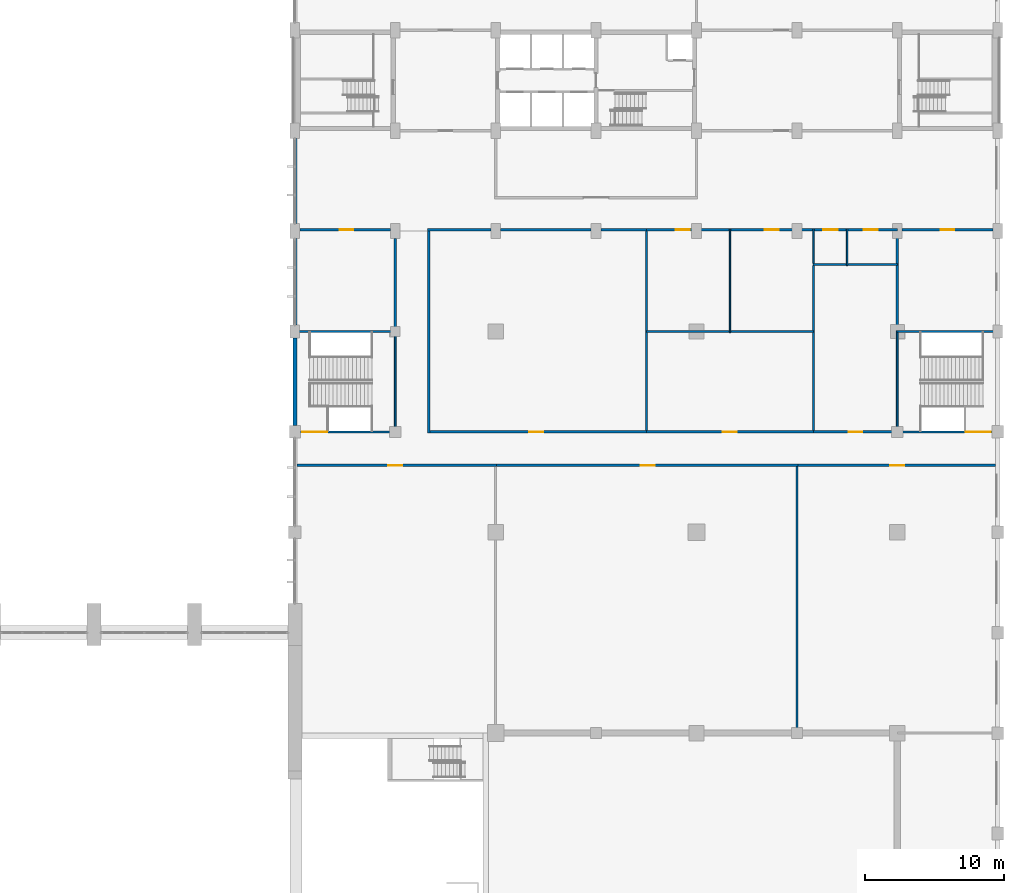
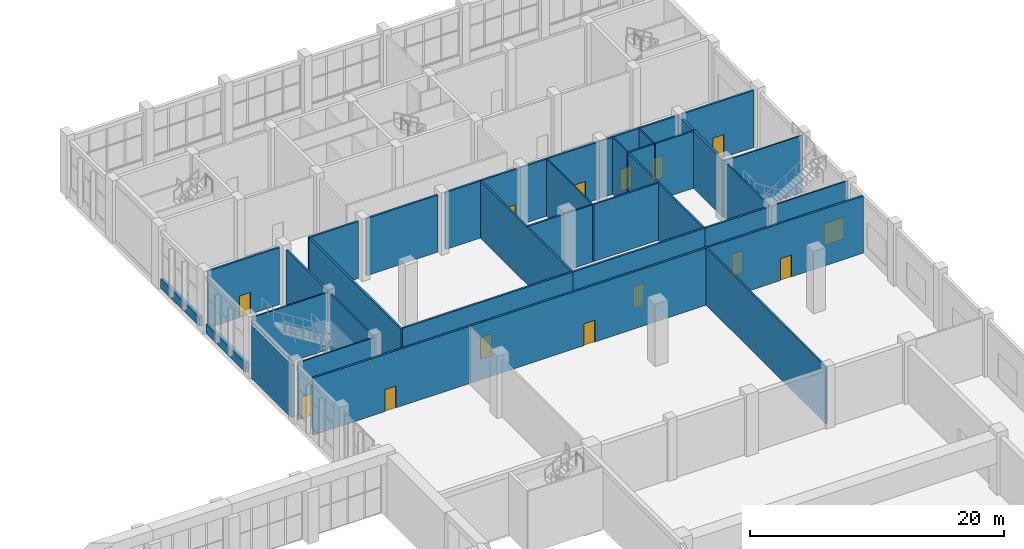
# One storey, part 35 of 44: 37 walls, 14 doors, 14 openings.
"""IFC4 building model written with IfcOpenShell, lengths in metres."""

from ifc_helpers import new_model, si_unit, direction, frame, frame_2d, origin, place, context, subcontext, project, spatial, rectangle, extrude, material, layer, layer_set, type_object, element, fill, save


model = new_model("IFC4")

# Units and contexts
model_context = context("Model", 3, precision=1e-05, world=origin(), true_north=direction((0.0, 1.0)))
body_context = subcontext(model_context, "Body", "Model", "MODEL_VIEW")
ifc_project = project(units=[si_unit("LENGTHUNIT", "METRE"), si_unit("AREAUNIT", "SQUARE_METRE"), si_unit("VOLUMEUNIT", "CUBIC_METRE"), si_unit("PLANEANGLEUNIT", "RADIAN"), si_unit("MASSUNIT", "GRAM", prefix="KILO")], contexts=[model_context])

# Site, building, storey
site_placement = place(None, origin())
site = spatial("IfcSite", under=ifc_project, at=site_placement, CompositionType="ELEMENT")
building_placement = place(site_placement, origin())
building = spatial("IfcBuilding", under=site, at=building_placement, Name="Vermilion Court Aquatics Centre", CompositionType="ELEMENT")
storey_placement = place(building_placement, frame((0.0, 0.0, 6.0)))
storey = spatial("IfcBuildingStorey", under=building, at=storey_placement, Name="L01", CompositionType="ELEMENT", Elevation=6.0)

# Wall, opening, door
ifc_material_1 = material(Name="Concrete masonry ASTM C90 Type I", Category="masonry")
ifc_layer_1 = layer(ifc_material_1, 0.175048828125)
ifc_layer_set_1 = layer_set([ifc_layer_1], Name="Podium corridor wall 175, 1 hr")
wall_type_1 = type_object("IfcWallType", Name="Podium corridor wall 175, 1 hr", PredefinedType="PARTITIONING", material=ifc_layer_set_1)
wall_1_placement = place(storey_placement, frame((144.14990234375, 76.800048828125, 0.0), z_axis=(0.0, 0.0, 1.0), x_axis=(1.0, 0.0, 0.0)))
wall_1 = element("IfcWall", 1, at=wall_1_placement, inside=storey, type_object=wall_type_1, Name="Corridor wall", PredefinedType="PARTITIONING", context=body_context, shape_type="SweptSolid", body=[
    extrude(rectangle(XDim=14.3251953125, YDim=0.175048828125, at=frame_2d((7.16259765625, 0.0))), origin(), (0.0, 0.0, 1.0), 5.5),
])
opening_1_placement = place(wall_1_placement, frame((6.550048828125, 0.0, 0.0)))
opening_1 = element("IfcOpeningElement", 2, at=opening_1_placement, cuts=wall_1, Name="Opening P01-013", PredefinedType="OPENING", context=body_context, shape_type="SweptSolid", body=[
    extrude(rectangle(XDim=1.0, YDim=2.10009765625, at=frame_2d((0.5, 1.050048828125))), frame((0.0, 0.097412109375, 0.0), z_axis=(0.0, -1.0, 0.0), x_axis=(1.0, 0.0, 0.0)), (0.0, 0.0, 1.0), 0.195068359375),
])
ifc_material_2 = material(Name="Hollow metal")
door_type_1 = type_object("IfcDoorType", Name="Podium fire door leaf 1000x2100, 60 min", OperationType="NOTDEFINED", PredefinedType="DOOR", material=ifc_material_2)
door_1_placement = place(opening_1_placement, origin())
door_1 = element("IfcDoor", 3, at=door_1_placement, inside=storey, type_object=door_type_1, Name="Door", OperationType="SINGLE_SWING_LEFT", OverallHeight=2.10009765625, OverallWidth=1.0, PredefinedType="DOOR", context=body_context, shape_type="SweptSolid", body=[
    extrude(rectangle(XDim=1.0, YDim=2.10009765625, at=frame_2d((0.5, 1.050048828125))), frame((0.0, 0.02490234375, 0.0), z_axis=(0.0, -1.0, 0.0), x_axis=(1.0, 0.0, 0.0)), (0.0, 0.0, 1.0), 0.050048828125),
])
fill(opening_1, door_1)

wall_2_placement = place(storey_placement, frame((158.47509765625, 76.800048828125, 0.0), z_axis=(0.0, 0.0, 1.0), x_axis=(1.0, 0.0, 0.0)))
wall_2 = element("IfcWall", 4, at=wall_2_placement, inside=storey, type_object=wall_type_1, Name="Corridor wall", PredefinedType="PARTITIONING", context=body_context, shape_type="SweptSolid", body=[
    extrude(rectangle(XDim=21.599853515625, YDim=0.175048828125, at=frame_2d((10.7998046875, 0.0))), origin(), (0.0, 0.0, 1.0), 5.5),
])
opening_2_placement = place(wall_2_placement, frame((10.325927734375, 0.0, 0.0)))
opening_2 = element("IfcOpeningElement", 5, at=opening_2_placement, cuts=wall_2, Name="Opening P01-014", PredefinedType="OPENING", context=body_context, shape_type="SweptSolid", body=[
    extrude(rectangle(XDim=1.0, YDim=2.10009765625, at=frame_2d((0.5, 1.050048828125))), frame((0.0, 0.097412109375, 0.0), z_axis=(0.0, -1.0, 0.0), x_axis=(1.0, 0.0, 0.0)), (0.0, 0.0, 1.0), 0.195068359375),
])
door_2_placement = place(opening_2_placement, frame((1.0, 0.0, 0.0), z_axis=(0.0, 0.0, 1.0), x_axis=(-1.0, 0.0, 0.0)))
door_2 = element("IfcDoor", 6, at=door_2_placement, inside=storey, type_object=door_type_1, Name="Door", OperationType="SINGLE_SWING_LEFT", OverallHeight=2.10009765625, OverallWidth=1.0, PredefinedType="DOOR", context=body_context, shape_type="SweptSolid", body=[
    extrude(rectangle(XDim=1.0, YDim=2.10009765625, at=frame_2d((0.5, 1.050048828125))), frame((0.0, 0.025146484375, 0.0), z_axis=(0.0, -1.0, 0.0), x_axis=(1.0, 0.0, 0.0)), (0.0, 0.0, 1.0), 0.050048828125),
])
fill(opening_2, door_2)

wall_3_placement = place(storey_placement, frame((180.074951171875, 76.800048828125, 0.0), z_axis=(0.0, 0.0, 1.0), x_axis=(1.0, 0.0, 0.0)))
wall_3 = element("IfcWall", 7, at=wall_3_placement, inside=storey, type_object=wall_type_1, Name="Corridor wall", PredefinedType="PARTITIONING", context=body_context, shape_type="SweptSolid", body=[
    extrude(rectangle(XDim=14.175048828125, YDim=0.175048828125, at=frame_2d((7.08740234375, 0.0))), origin(), (0.0, 0.0, 1.0), 5.5),
])
opening_3_placement = place(wall_3_placement, frame((6.625, 0.0, 0.0)))
opening_3 = element("IfcOpeningElement", 8, at=opening_3_placement, cuts=wall_3, Name="Opening P01-015", PredefinedType="OPENING", context=body_context, shape_type="SweptSolid", body=[
    extrude(rectangle(XDim=1.0, YDim=2.10009765625, at=frame_2d((0.5, 1.050048828125))), frame((0.0, 0.097412109375, 0.0), z_axis=(0.0, -1.0, 0.0), x_axis=(1.0, 0.0, 0.0)), (0.0, 0.0, 1.0), 0.195068359375),
])
door_3_placement = place(opening_3_placement, origin())
door_3 = element("IfcDoor", 9, at=door_3_placement, inside=storey, type_object=door_type_1, Name="Door", OperationType="SINGLE_SWING_LEFT", OverallHeight=2.10009765625, OverallWidth=1.0, PredefinedType="DOOR", context=body_context, shape_type="SweptSolid", body=[
    extrude(rectangle(XDim=1.0, YDim=2.10009765625, at=frame_2d((0.5, 1.050048828125))), frame((0.0, 0.02490234375, 0.0), z_axis=(0.0, -1.0, 0.0), x_axis=(1.0, 0.0, 0.0)), (0.0, 0.0, 1.0), 0.050048828125),
])
fill(opening_3, door_3)

wall_4_placement = place(storey_placement, frame((153.6875, 79.199951171875, 0.0), z_axis=(0.0, 0.0, 1.0), x_axis=(1.0, 0.0, 0.0)))
wall_4 = element("IfcWall", 10, at=wall_4_placement, inside=storey, type_object=wall_type_1, Name="Corridor wall", PredefinedType="PARTITIONING", context=body_context, shape_type="SweptSolid", body=[
    extrude(rectangle(XDim=15.512451171875, YDim=0.175048828125, at=frame_2d((7.75634765625, 0.0))), origin(), (0.0, 0.0, 1.0), 5.5),
])
opening_4_placement = place(wall_4_placement, frame((7.111083984375, 0.0, 0.0)))
opening_4 = element("IfcOpeningElement", 11, at=opening_4_placement, cuts=wall_4, Name="Opening P01-016", PredefinedType="OPENING", context=body_context, shape_type="SweptSolid", body=[
    extrude(rectangle(XDim=1.0, YDim=2.10009765625, at=frame_2d((0.5, 1.050048828125))), frame((0.0, 0.097412109375, 0.0), z_axis=(0.0, -1.0, 0.0), x_axis=(1.0, 0.0, 0.0)), (0.0, 0.0, 1.0), 0.195068359375),
])
door_4_placement = place(opening_4_placement, frame((1.0, 0.0, 0.0), z_axis=(0.0, 0.0, 1.0), x_axis=(-1.0, 0.0, 0.0)))
door_4 = element("IfcDoor", 12, at=door_4_placement, inside=storey, type_object=door_type_1, Name="Door", OperationType="SINGLE_SWING_RIGHT", OverallHeight=2.10009765625, OverallWidth=1.0, PredefinedType="DOOR", context=body_context, shape_type="SweptSolid", body=[
    extrude(rectangle(XDim=1.0, YDim=2.10009765625, at=frame_2d((0.5, 1.050048828125))), frame((0.0, 0.025146484375, 0.0), z_axis=(0.0, -1.0, 0.0), x_axis=(1.0, 0.0, 0.0)), (0.0, 0.0, 1.0), 0.050048828125),
])
fill(opening_4, door_4)

wall_5_placement = place(storey_placement, frame((169.199951171875, 79.199951171875, 0.0), z_axis=(0.0, 0.0, 1.0), x_axis=(1.0, 0.0, 0.0)))
wall_5 = element("IfcWall", 13, at=wall_5_placement, inside=storey, type_object=wall_type_1, Name="Corridor wall", PredefinedType="PARTITIONING", context=body_context, shape_type="SweptSolid", body=[
    extrude(rectangle(XDim=12.0, YDim=0.175048828125, at=frame_2d((6.0, 0.0))), origin(), (0.0, 0.0, 1.0), 5.5),
])
opening_5_placement = place(wall_5_placement, frame((5.5, 0.0, 0.0)))
opening_5 = element("IfcOpeningElement", 14, at=opening_5_placement, cuts=wall_5, Name="Opening P01-017", PredefinedType="OPENING", context=body_context, shape_type="SweptSolid", body=[
    extrude(rectangle(XDim=1.0, YDim=2.10009765625, at=frame_2d((0.5, 1.050048828125))), frame((0.0, 0.097412109375, 0.0), z_axis=(0.0, -1.0, 0.0), x_axis=(1.0, 0.0, 0.0)), (0.0, 0.0, 1.0), 0.195068359375),
])
door_5_placement = place(opening_5_placement, origin())
door_5 = element("IfcDoor", 15, at=door_5_placement, inside=storey, type_object=door_type_1, Name="Door", OperationType="SINGLE_SWING_RIGHT", OverallHeight=2.10009765625, OverallWidth=1.0, PredefinedType="DOOR", context=body_context, shape_type="SweptSolid", body=[
    extrude(rectangle(XDim=1.0, YDim=2.10009765625, at=frame_2d((0.5, 1.050048828125))), frame((0.0, 0.02490234375, 0.0), z_axis=(0.0, -1.0, 0.0), x_axis=(1.0, 0.0, 0.0)), (0.0, 0.0, 1.0), 0.050048828125),
])
fill(opening_5, door_5)

wall_6_placement = place(storey_placement, frame((181.199951171875, 79.199951171875, 0.0), z_axis=(0.0, 0.0, 1.0), x_axis=(1.0, 0.0, 0.0)))
wall_6 = element("IfcWall", 16, at=wall_6_placement, inside=storey, type_object=wall_type_1, Name="Corridor wall", PredefinedType="PARTITIONING", context=body_context, shape_type="SweptSolid", body=[
    extrude(rectangle(XDim=6.0625, YDim=0.175048828125, at=frame_2d((3.03125, 0.0))), origin(), (0.0, 0.0, 1.0), 5.5),
])
opening_6_placement = place(wall_6_placement, frame((2.52490234375, 0.0, 0.0)))
opening_6 = element("IfcOpeningElement", 17, at=opening_6_placement, cuts=wall_6, Name="Opening P01-018", PredefinedType="OPENING", context=body_context, shape_type="SweptSolid", body=[
    extrude(rectangle(XDim=0.949951171875, YDim=2.10009765625, at=frame_2d((0.47509765625, 1.050048828125))), frame((0.0, 0.097412109375, 0.0), z_axis=(0.0, -1.0, 0.0), x_axis=(1.0, 0.0, 0.0)), (0.0, 0.0, 1.0), 0.195068359375),
])
ifc_material_3 = material(Name="Hollow metal")
door_type_2 = type_object("IfcDoorType", Name="Podium fire door treatment room 950x2100, 60 min", OperationType="NOTDEFINED", PredefinedType="DOOR", material=ifc_material_3)
door_6_placement = place(opening_6_placement, origin())
door_6 = element("IfcDoor", 18, at=door_6_placement, inside=storey, type_object=door_type_2, Name="Door", OperationType="SINGLE_SWING_RIGHT", OverallHeight=2.10009765625, OverallWidth=0.949951171875, PredefinedType="DOOR", context=body_context, shape_type="SweptSolid", body=[
    extrude(rectangle(XDim=0.949951171875, YDim=2.10009765625, at=frame_2d((0.47509765625, 1.050048828125))), frame((0.0, 0.02490234375, 0.0), z_axis=(0.0, -1.0, 0.0), x_axis=(1.0, 0.0, 0.0)), (0.0, 0.0, 1.0), 0.050048828125),
])
fill(opening_6, door_6)

# Walls
wall_7_placement = place(storey_placement, frame((153.60009765625, 79.112548828125, 0.0), z_axis=(0.0, 0.0, 1.0), x_axis=(0.0, 1.0, 0.0)))
element("IfcWall", 19, at=wall_7_placement, inside=storey, type_object=wall_type_1, Name="Corridor wall", PredefinedType="PARTITIONING", context=body_context, shape_type="SweptSolid", body=[
    extrude(rectangle(XDim=14.487548828125, YDim=0.175048828125, at=frame_2d((7.24365234375, 0.0))), origin(), (0.0, 0.0, 1.0), 5.5),
])
wall_8_placement = place(storey_placement, frame((151.199951171875, 86.46240234375, 0.0), z_axis=(0.0, 0.0, 1.0), x_axis=(0.0, 1.0, 0.0)))
element("IfcWall", 20, at=wall_8_placement, inside=storey, type_object=wall_type_1, Name="Corridor wall", PredefinedType="PARTITIONING", context=body_context, shape_type="SweptSolid", body=[
    extrude(rectangle(XDim=6.587646484375, YDim=0.175048828125, at=frame_2d((3.2939453125, 0.0))), origin(), (0.0, 0.0, 1.0), 5.5),
])

# Wall, opening, door
wall_9_placement = place(storey_placement, frame((144.35009765625, 93.6875, 0.0), z_axis=(0.0, 0.0, 1.0), x_axis=(1.0, 0.0, 0.0)))
wall_9 = element("IfcWall", 21, at=wall_9_placement, inside=storey, type_object=wall_type_1, Name="Corridor wall", PredefinedType="PARTITIONING", context=body_context, shape_type="SweptSolid", body=[
    extrude(rectangle(XDim=6.5, YDim=0.175048828125, at=frame_2d((3.25, 0.0))), origin(), (0.0, 0.0, 1.0), 5.5),
])
opening_7_placement = place(wall_9_placement, frame((2.852783203125, 0.0, 0.0)))
opening_7 = element("IfcOpeningElement", 22, at=opening_7_placement, cuts=wall_9, Name="Opening P01-022", PredefinedType="OPENING", context=body_context, shape_type="SweptSolid", body=[
    extrude(rectangle(XDim=1.0, YDim=2.10009765625, at=frame_2d((0.5, 1.050048828125))), frame((0.0, 0.097412109375, 0.0), z_axis=(0.0, -1.0, 0.0), x_axis=(1.0, 0.0, 0.0)), (0.0, 0.0, 1.0), 0.195068359375),
])
door_7_placement = place(opening_7_placement, frame((1.0, 0.0, 0.0), z_axis=(0.0, 0.0, 1.0), x_axis=(-1.0, 0.0, 0.0)))
door_7 = element("IfcDoor", 23, at=door_7_placement, inside=storey, type_object=door_type_1, Name="Door", OperationType="SINGLE_SWING_RIGHT", OverallHeight=2.10009765625, OverallWidth=1.0, PredefinedType="DOOR", context=body_context, shape_type="SweptSolid", body=[
    extrude(rectangle(XDim=1.0, YDim=2.10009765625, at=frame_2d((0.5, 1.050048828125))), frame((0.0, 0.025146484375, 0.0), z_axis=(0.0, -1.0, 0.0), x_axis=(1.0, 0.0, 0.0)), (0.0, 0.0, 1.0), 0.050048828125),
])
fill(opening_7, door_7)

# Walls
wall_10_placement = place(storey_placement, frame((153.512451171875, 93.6875, 0.0), z_axis=(0.0, 0.0, 1.0), x_axis=(1.0, 0.0, 0.0)))
element("IfcWall", 24, at=wall_10_placement, inside=storey, type_object=wall_type_1, Name="Corridor wall", PredefinedType="PARTITIONING", context=body_context, shape_type="SweptSolid", body=[
    extrude(rectangle(XDim=4.53759765625, YDim=0.175048828125, at=frame_2d((2.268798828125, 0.0))), origin(), (0.0, 0.0, 1.0), 5.5),
])
wall_11_placement = place(storey_placement, frame((158.75, 93.6875, 0.0), z_axis=(0.0, 0.0, 1.0), x_axis=(1.0, 0.0, 0.0)))
element("IfcWall", 25, at=wall_11_placement, inside=storey, type_object=wall_type_1, Name="Corridor wall", PredefinedType="PARTITIONING", context=body_context, shape_type="SweptSolid", body=[
    extrude(rectangle(XDim=6.5, YDim=0.175048828125, at=frame_2d((3.25, 0.0))), origin(), (0.0, 0.0, 1.0), 5.5),
])
wall_12_placement = place(storey_placement, frame((165.949951171875, 93.6875, 0.0), z_axis=(0.0, 0.0, 1.0), x_axis=(1.0, 0.0, 0.0)))
element("IfcWall", 26, at=wall_12_placement, inside=storey, type_object=wall_type_1, Name="Corridor wall", PredefinedType="PARTITIONING", context=body_context, shape_type="SweptSolid", body=[
    extrude(rectangle(XDim=3.25, YDim=0.175048828125, at=frame_2d((1.625, 0.0))), origin(), (0.0, 0.0, 1.0), 5.5),
])

# Wall, opening, door
wall_13_placement = place(storey_placement, frame((169.199951171875, 93.6875, 0.0), z_axis=(0.0, 0.0, 1.0), x_axis=(1.0, 0.0, 0.0)))
wall_13 = element("IfcWall", 27, at=wall_13_placement, inside=storey, type_object=wall_type_1, Name="Corridor wall", PredefinedType="PARTITIONING", context=body_context, shape_type="SweptSolid", body=[
    extrude(rectangle(XDim=5.949951171875, YDim=0.175048828125, at=frame_2d((2.97509765625, 0.0))), origin(), (0.0, 0.0, 1.0), 5.5),
])
opening_8_placement = place(wall_13_placement, frame((2.10009765625, 0.0, 0.0)))
opening_8 = element("IfcOpeningElement", 28, at=opening_8_placement, cuts=wall_13, Name="Opening P01-024", PredefinedType="OPENING", context=body_context, shape_type="SweptSolid", body=[
    extrude(rectangle(XDim=1.0, YDim=2.10009765625, at=frame_2d((0.5, 1.050048828125))), frame((0.0, 0.097412109375, 0.0), z_axis=(0.0, -1.0, 0.0), x_axis=(1.0, 0.0, 0.0)), (0.0, 0.0, 1.0), 0.195068359375),
])
door_8_placement = place(opening_8_placement, frame((1.0, 0.0, 0.0), z_axis=(0.0, 0.0, 1.0), x_axis=(-1.0, 0.0, 0.0)))
door_8 = element("IfcDoor", 29, at=door_8_placement, inside=storey, type_object=door_type_1, Name="Door", OperationType="SINGLE_SWING_LEFT", OverallHeight=2.10009765625, OverallWidth=1.0, PredefinedType="DOOR", context=body_context, shape_type="SweptSolid", body=[
    extrude(rectangle(XDim=1.0, YDim=2.10009765625, at=frame_2d((0.5, 1.050048828125))), frame((0.0, 0.025146484375, 0.0), z_axis=(0.0, -1.0, 0.0), x_axis=(1.0, 0.0, 0.0)), (0.0, 0.0, 1.0), 0.050048828125),
])
fill(opening_8, door_8)

wall_14_placement = place(storey_placement, frame((175.25, 93.6875, 0.0), z_axis=(0.0, 0.0, 1.0), x_axis=(1.0, 0.0, 0.0)))
wall_14 = element("IfcWall", 30, at=wall_14_placement, inside=storey, type_object=wall_type_1, Name="Corridor wall", PredefinedType="PARTITIONING", context=body_context, shape_type="SweptSolid", body=[
    extrude(rectangle(XDim=5.89990234375, YDim=0.175048828125, at=frame_2d((2.949951171875, 0.0))), origin(), (0.0, 0.0, 1.0), 5.5),
])
opening_9_placement = place(wall_14_placement, frame((2.449951171875, 0.0, 0.0)))
opening_9 = element("IfcOpeningElement", 31, at=opening_9_placement, cuts=wall_14, Name="Opening P01-025", PredefinedType="OPENING", context=body_context, shape_type="SweptSolid", body=[
    extrude(rectangle(XDim=1.0, YDim=2.10009765625, at=frame_2d((0.5, 1.050048828125))), frame((0.0, 0.097412109375, 0.0), z_axis=(0.0, -1.0, 0.0), x_axis=(1.0, 0.0, 0.0)), (0.0, 0.0, 1.0), 0.195068359375),
])
door_9_placement = place(opening_9_placement, frame((1.0, 0.0, 0.0), z_axis=(0.0, 0.0, 1.0), x_axis=(-1.0, 0.0, 0.0)))
door_9 = element("IfcDoor", 32, at=door_9_placement, inside=storey, type_object=door_type_1, Name="Door", OperationType="SINGLE_SWING_LEFT", OverallHeight=2.10009765625, OverallWidth=1.0, PredefinedType="DOOR", context=body_context, shape_type="SweptSolid", body=[
    extrude(rectangle(XDim=1.0, YDim=2.10009765625, at=frame_2d((0.5, 1.050048828125))), frame((0.0, 0.025146484375, 0.0), z_axis=(0.0, -1.0, 0.0), x_axis=(1.0, 0.0, 0.0)), (0.0, 0.0, 1.0), 0.050048828125),
])
fill(opening_9, door_9)

wall_15_placement = place(storey_placement, frame((181.25, 93.6875, 0.0), z_axis=(0.0, 0.0, 1.0), x_axis=(1.0, 0.0, 0.0)))
wall_15 = element("IfcWall", 33, at=wall_15_placement, inside=storey, type_object=wall_type_1, Name="Corridor wall", PredefinedType="PARTITIONING", context=body_context, shape_type="SweptSolid", body=[
    extrude(rectangle(XDim=2.300048828125, YDim=0.175048828125, at=frame_2d((1.14990234375, 0.0))), origin(), (0.0, 0.0, 1.0), 5.5),
])
opening_10_placement = place(wall_15_placement, frame((0.625, 0.0, 0.0)))
opening_10 = element("IfcOpeningElement", 34, at=opening_10_placement, cuts=wall_15, Name="Opening P01-026", PredefinedType="OPENING", context=body_context, shape_type="SweptSolid", body=[
    extrude(rectangle(XDim=1.050048828125, YDim=2.10009765625, at=frame_2d((0.52490234375, 1.050048828125))), frame((0.0, 0.097412109375, 0.0), z_axis=(0.0, -1.0, 0.0), x_axis=(1.0, 0.0, 0.0)), (0.0, 0.0, 1.0), 0.195068359375),
])
ifc_material_4 = material(Name="Hollow metal")
door_type_3 = type_object("IfcDoorType", Name="Podium fire door accessible WC 1050x2100, 60 min", OperationType="NOTDEFINED", PredefinedType="DOOR", material=ifc_material_4)
door_10_placement = place(opening_10_placement, frame((1.050048828125, 0.0, 0.0), z_axis=(0.0, 0.0, 1.0), x_axis=(-1.0, 0.0, 0.0)))
door_10 = element("IfcDoor", 35, at=door_10_placement, inside=storey, type_object=door_type_3, Name="Door", OperationType="SINGLE_SWING_LEFT", OverallHeight=2.10009765625, OverallWidth=1.050048828125, PredefinedType="DOOR", context=body_context, shape_type="SweptSolid", body=[
    extrude(rectangle(XDim=1.050048828125, YDim=2.10009765625, at=frame_2d((0.525146484375, 1.050048828125))), frame((0.0, 0.025146484375, 0.0), z_axis=(0.0, -1.0, 0.0), x_axis=(1.0, 0.0, 0.0)), (0.0, 0.0, 1.0), 0.050048828125),
])
fill(opening_10, door_10)

wall_16_placement = place(storey_placement, frame((183.64990234375, 93.6875, 0.0), z_axis=(0.0, 0.0, 1.0), x_axis=(1.0, 0.0, 0.0)))
wall_16 = element("IfcWall", 36, at=wall_16_placement, inside=storey, type_object=wall_type_1, Name="Corridor wall", PredefinedType="PARTITIONING", context=body_context, shape_type="SweptSolid", body=[
    extrude(rectangle(XDim=3.550048828125, YDim=0.175048828125, at=frame_2d((1.77490234375, 0.0))), origin(), (0.0, 0.0, 1.0), 5.5),
])
opening_11_placement = place(wall_16_placement, frame((1.14404296875, 0.0, 0.0)))
opening_11 = element("IfcOpeningElement", 37, at=opening_11_placement, cuts=wall_16, Name="Opening P01-019", PredefinedType="OPENING", context=body_context, shape_type="SweptSolid", body=[
    extrude(rectangle(XDim=1.0, YDim=2.10009765625, at=frame_2d((0.5, 1.050048828125))), frame((0.0, 0.097412109375, 0.0), z_axis=(0.0, -1.0, 0.0), x_axis=(1.0, 0.0, 0.0)), (0.0, 0.0, 1.0), 0.195068359375),
])
door_11_placement = place(opening_11_placement, frame((1.0, 0.0, 0.0), z_axis=(0.0, 0.0, 1.0), x_axis=(-1.0, 0.0, 0.0)))
door_11 = element("IfcDoor", 38, at=door_11_placement, inside=storey, type_object=door_type_1, Name="Door", OperationType="SINGLE_SWING_LEFT", OverallHeight=2.10009765625, OverallWidth=1.0, PredefinedType="DOOR", context=body_context, shape_type="SweptSolid", body=[
    extrude(rectangle(XDim=1.0, YDim=2.10009765625, at=frame_2d((0.5, 1.050048828125))), frame((0.0, 0.025146484375, 0.0), z_axis=(0.0, -1.0, 0.0), x_axis=(1.0, 0.0, 0.0)), (0.0, 0.0, 1.0), 0.050048828125),
])
fill(opening_11, door_11)

wall_17_placement = place(storey_placement, frame((187.550048828125, 93.6875, 0.0), z_axis=(0.0, 0.0, 1.0), x_axis=(1.0, 0.0, 0.0)))
wall_17 = element("IfcWall", 39, at=wall_17_placement, inside=storey, type_object=wall_type_1, Name="Corridor wall", PredefinedType="PARTITIONING", context=body_context, shape_type="SweptSolid", body=[
    extrude(rectangle(XDim=6.5, YDim=0.175048828125, at=frame_2d((3.25, 0.0))), origin(), (0.0, 0.0, 1.0), 5.5),
])
opening_12_placement = place(wall_17_placement, frame((2.75, 0.0, 0.0)))
opening_12 = element("IfcOpeningElement", 40, at=opening_12_placement, cuts=wall_17, Name="Opening P01-023", PredefinedType="OPENING", context=body_context, shape_type="SweptSolid", body=[
    extrude(rectangle(XDim=1.0, YDim=2.199951171875, at=frame_2d((0.5, 1.10009765625))), frame((0.0, 0.097412109375, 0.0), z_axis=(0.0, -1.0, 0.0), x_axis=(1.0, 0.0, 0.0)), (0.0, 0.0, 1.0), 0.195068359375),
])
ifc_material_5 = material(Name="Hollow metal")
door_type_4 = type_object("IfcDoorType", Name="Podium fire door back-of-house leaf 1000x2200, 60 min", OperationType="NOTDEFINED", PredefinedType="DOOR", material=ifc_material_5)
door_12_placement = place(opening_12_placement, frame((1.0, 0.0, 0.0), z_axis=(0.0, 0.0, 1.0), x_axis=(-1.0, 0.0, 0.0)))
door_12 = element("IfcDoor", 41, at=door_12_placement, inside=storey, type_object=door_type_4, Name="Door", OperationType="SINGLE_SWING_LEFT", OverallHeight=2.199951171875, OverallWidth=1.0, PredefinedType="DOOR", context=body_context, shape_type="SweptSolid", body=[
    extrude(rectangle(XDim=1.0, YDim=2.199951171875, at=frame_2d((0.5, 1.10009765625))), frame((0.0, 0.025146484375, 0.0), z_axis=(0.0, -1.0, 0.0), x_axis=(1.0, 0.0, 0.0)), (0.0, 0.0, 1.0), 0.050048828125),
])
fill(opening_12, door_12)

# Walls
ifc_material_6 = material(Name="Brick masonry", Category="masonry")
ifc_layer_2 = layer(ifc_material_6, 0.300048828125)
ifc_layer_set_2 = layer_set([ifc_layer_2], Name="Podium facade brick wall 300")
wall_type_2 = type_object("IfcWallType", Name="Podium facade brick wall 300", PredefinedType="SOLIDWALL", material=ifc_layer_set_2)
wall_18_placement = place(storey_placement, frame((144.0, 79.64990234375, 0.0), z_axis=(0.0, 0.0, 1.0), x_axis=(0.0, 1.0, 0.0)))
element("IfcWall", 42, at=wall_18_placement, inside=storey, type_object=wall_type_2, Name="Facade wall L01", PredefinedType="SOLIDWALL", context=body_context, shape_type="SweptSolid", body=[
    extrude(rectangle(XDim=6.300048828125, YDim=0.300048828125, at=frame_2d((3.14990234375, 0.0))), origin(), (0.0, 0.0, 1.0), 5.10009765625),
])
wall_19_placement = place(storey_placement, frame((144.0, 86.85009765625, 0.0), z_axis=(0.0, 0.0, 1.0), x_axis=(0.0, 1.0, 0.0)))
element("IfcWall", 43, at=wall_19_placement, inside=storey, type_object=wall_type_2, Name="Facade sill wall L01", PredefinedType="SOLIDWALL", context=body_context, shape_type="SweptSolid", body=[
    extrude(rectangle(XDim=6.199951171875, YDim=0.300048828125, at=frame_2d((3.10009765625, 0.0))), origin(), (0.0, 0.0, 1.0), 0.89990234375),
])
wall_20_placement = place(storey_placement, frame((144.0, 94.14990234375, 0.0), z_axis=(0.0, 0.0, 1.0), x_axis=(0.0, 1.0, 0.0)))
element("IfcWall", 44, at=wall_20_placement, inside=storey, type_object=wall_type_2, Name="Facade sill wall L01", PredefinedType="SOLIDWALL", context=body_context, shape_type="SweptSolid", body=[
    extrude(rectangle(XDim=6.10009765625, YDim=0.300048828125, at=frame_2d((3.050048828125, 0.0))), origin(), (0.0, 0.0, 1.0), 0.89990234375),
])
ifc_material_7 = material(Name="Concrete masonry ASTM C90 Type I", Category="masonry")
ifc_layer_3 = layer(ifc_material_7, 0.199951171875)
ifc_layer_set_3 = layer_set([ifc_layer_3], Name="Podium fire-rated partition 200, 1 hr")
wall_type_3 = type_object("IfcWallType", Name="Podium fire-rated partition 200, 1 hr", PredefinedType="PARTITIONING", material=ifc_layer_set_3)
wall_21_placement = place(storey_placement, frame((187.199951171875, 86.46240234375, 0.0), z_axis=(0.0, 0.0, 1.0), x_axis=(0.0, 1.0, 0.0)))
element("IfcWall", 45, at=wall_21_placement, inside=storey, type_object=wall_type_3, Name="Fire-rated partition", PredefinedType="PARTITIONING", context=body_context, shape_type="SweptSolid", body=[
    extrude(rectangle(XDim=7.1376953125, YDim=0.199951171875, at=frame_2d((3.56884765625, 0.0))), origin(), (0.0, 0.0, 1.0), 5.5),
])
ifc_material_8 = material(Name="Gypsum board")
ifc_layer_4 = layer(ifc_material_8, 0.14990234375)
ifc_layer_set_4 = layer_set([ifc_layer_4], Name="Podium partition wall 150")
wall_type_4 = type_object("IfcWallType", Name="Podium partition wall 150", PredefinedType="PARTITIONING", material=ifc_layer_set_4)
wall_22_placement = place(storey_placement, frame((180.0, 57.824951171875, 0.0), z_axis=(0.0, 0.0, 1.0), x_axis=(0.0, 1.0, 0.0)))
element("IfcWall", 46, at=wall_22_placement, inside=storey, type_object=wall_type_4, Name="Partition", PredefinedType="PARTITIONING", context=body_context, shape_type="SweptSolid", body=[
    extrude(rectangle(XDim=18.887451171875, YDim=0.14990234375, at=frame_2d((9.44384765625, 0.0))), origin(), (0.0, 0.0, 1.0), 5.5),
])
wall_23_placement = place(storey_placement, frame((169.199951171875, 79.28759765625, 0.0), z_axis=(0.0, 0.0, 1.0), x_axis=(0.0, 1.0, 0.0)))
element("IfcWall", 47, at=wall_23_placement, inside=storey, type_object=wall_type_4, Name="Partition", PredefinedType="PARTITIONING", context=body_context, shape_type="SweptSolid", body=[
    extrude(rectangle(XDim=14.3125, YDim=0.14990234375, at=frame_2d((7.15625, 0.0))), origin(), (0.0, 0.0, 1.0), 5.5),
])
wall_24_placement = place(storey_placement, frame((181.199951171875, 79.28759765625, 0.0), z_axis=(0.0, 0.0, 1.0), x_axis=(0.0, 1.0, 0.0)))
element("IfcWall", 48, at=wall_24_placement, inside=storey, type_object=wall_type_4, Name="Partition", PredefinedType="PARTITIONING", context=body_context, shape_type="SweptSolid", body=[
    extrude(rectangle(XDim=11.83740234375, YDim=0.14990234375, at=frame_2d((5.918701171875, 0.0))), origin(), (0.0, 0.0, 1.0), 5.5),
])
for number, where, z_axis, x_axis, name in (
    (49, (169.199951171875, 86.39990234375, 0.0), (0.0, 0.0, 1.0), (1.0, 0.0, 0.0), "Partition"),
    (50, (175.25, 86.39990234375, 0.0), (0.0, 0.0, 1.0), (1.0, 0.0, 0.0), "Partition"),
):
    element("IfcWall", number, at=place(storey_placement, frame(where, z_axis=z_axis, x_axis=x_axis)), inside=storey, type_object=wall_type_4, Name=name, PredefinedType="PARTITIONING", context=body_context, shape_type="SweptSolid", body=[
        extrude(rectangle(XDim=5.949951171875, YDim=0.14990234375, at=frame_2d((2.97509765625, 0.0))), origin(), (0.0, 0.0, 1.0), 5.5),
    ])
wall_25_placement = place(storey_placement, frame((181.14990234375, 91.199951171875, 0.0), z_axis=(0.0, 0.0, 1.0), x_axis=(1.0, 0.0, 0.0)))
element("IfcWall", 51, at=wall_25_placement, inside=storey, type_object=wall_type_4, Name="Partition", PredefinedType="PARTITIONING", context=body_context, shape_type="SweptSolid", body=[
    extrude(rectangle(XDim=2.400146484375, YDim=0.14990234375, at=frame_2d((1.2001953125, 0.0))), origin(), (0.0, 0.0, 1.0), 5.5),
])
wall_26_placement = place(storey_placement, frame((183.64990234375, 91.199951171875, 0.0), z_axis=(0.0, 0.0, 1.0), x_axis=(1.0, 0.0, 0.0)))
element("IfcWall", 52, at=wall_26_placement, inside=storey, type_object=wall_type_4, Name="Partition", PredefinedType="PARTITIONING", context=body_context, shape_type="SweptSolid", body=[
    extrude(rectangle(XDim=3.550048828125, YDim=0.14990234375, at=frame_2d((1.77490234375, 0.0))), origin(), (0.0, 0.0, 1.0), 5.5),
])
ifc_material_9 = material(Name="Concrete 5000 psi", Category="concrete")
ifc_layer_5 = layer(ifc_material_9, 0.125)
ifc_layer_set_5 = layer_set([ifc_layer_5], Name="Podium stair enclosure wall 125, 2 hr")
wall_type_5 = type_object("IfcWallType", Name="Podium stair enclosure wall 125, 2 hr", PredefinedType="SOLIDWALL", material=ifc_layer_set_5)
wall_27_placement = place(storey_placement, frame((187.199951171875, 79.28759765625, 0.0), z_axis=(0.0, 0.0, 1.0), x_axis=(0.0, 1.0, 0.0)))
element("IfcWall", 53, at=wall_27_placement, inside=storey, type_object=wall_type_5, Name="Stair enclosure wall", PredefinedType="SOLIDWALL", context=body_context, shape_type="SweptSolid", body=[
    extrude(rectangle(XDim=7.0498046875, YDim=0.125, at=frame_2d((3.52490234375, 0.0))), origin(), (0.0, 0.0, 1.0), 5.5),
])

# Wall, opening, door
wall_28_placement = place(storey_placement, frame((144.14990234375, 79.199951171875, 0.0), z_axis=(0.0, 0.0, 1.0), x_axis=(1.0, 0.0, 0.0)))
wall_28 = element("IfcWall", 54, at=wall_28_placement, inside=storey, type_object=wall_type_5, Name="Stair enclosure wall", PredefinedType="SOLIDWALL", context=body_context, shape_type="SweptSolid", body=[
    extrude(rectangle(XDim=6.987548828125, YDim=0.125, at=frame_2d((3.49365234375, 0.0))), origin(), (0.0, 0.0, 1.0), 5.5),
])
opening_13_placement = place(wall_28_placement, frame((0.389892578125, 0.0, 0.0)))
opening_13 = element("IfcOpeningElement", 55, at=opening_13_placement, cuts=wall_28, Name="Opening P01-020", PredefinedType="OPENING", context=body_context, shape_type="SweptSolid", body=[
    extrude(rectangle(XDim=1.800048828125, YDim=2.10009765625, at=frame_2d((0.89990234375, 1.050048828125))), frame((0.0, 0.072509765625, 0.0), z_axis=(0.0, -1.0, 0.0), x_axis=(1.0, 0.0, 0.0)), (0.0, 0.0, 1.0), 0.14501953125),
])
ifc_material_10 = material(Name="Hollow metal")
door_type_5 = type_object("IfcDoorType", Name="Podium fire door stair pair 1800x2100, 90 min", OperationType="DOUBLE_DOOR_SINGLE_SWING", PredefinedType="DOOR", material=ifc_material_10)
door_13_placement = place(opening_13_placement, origin())
door_13 = element("IfcDoor", 56, at=door_13_placement, inside=storey, type_object=door_type_5, Name="Door", OperationType="DOUBLE_DOOR_SINGLE_SWING", OverallHeight=2.10009765625, OverallWidth=1.800048828125, PredefinedType="DOOR", context=body_context, shape_type="SweptSolid", body=[
    extrude(rectangle(XDim=1.800048828125, YDim=2.10009765625, at=frame_2d((0.89990234375, 1.050048828125))), frame((0.0, 0.02490234375, 0.0), z_axis=(0.0, -1.0, 0.0), x_axis=(1.0, 0.0, 0.0)), (0.0, 0.0, 1.0), 0.050048828125),
])
fill(opening_13, door_13)

wall_29_placement = place(storey_placement, frame((187.262451171875, 79.199951171875, 0.0), z_axis=(0.0, 0.0, 1.0), x_axis=(1.0, 0.0, 0.0)))
wall_29 = element("IfcWall", 57, at=wall_29_placement, inside=storey, type_object=wall_type_5, Name="Stair enclosure wall", PredefinedType="SOLIDWALL", context=body_context, shape_type="SweptSolid", body=[
    extrude(rectangle(XDim=6.987548828125, YDim=0.125, at=frame_2d((3.49365234375, 0.0))), origin(), (0.0, 0.0, 1.0), 5.5),
])
opening_14_placement = place(wall_29_placement, frame((4.83740234375, 0.0, 0.0)))
opening_14 = element("IfcOpeningElement", 58, at=opening_14_placement, cuts=wall_29, Name="Opening P01-021", PredefinedType="OPENING", context=body_context, shape_type="SweptSolid", body=[
    extrude(rectangle(XDim=1.800048828125, YDim=2.10009765625, at=frame_2d((0.89990234375, 1.050048828125))), frame((0.0, 0.072509765625, 0.0), z_axis=(0.0, -1.0, 0.0), x_axis=(1.0, 0.0, 0.0)), (0.0, 0.0, 1.0), 0.14501953125),
])
door_14_placement = place(opening_14_placement, origin())
door_14 = element("IfcDoor", 59, at=door_14_placement, inside=storey, type_object=door_type_5, Name="Door", OperationType="DOUBLE_DOOR_SINGLE_SWING", OverallHeight=2.10009765625, OverallWidth=1.800048828125, PredefinedType="DOOR", context=body_context, shape_type="SweptSolid", body=[
    extrude(rectangle(XDim=1.800048828125, YDim=2.10009765625, at=frame_2d((0.89990234375, 1.050048828125))), frame((0.0, 0.02490234375, 0.0), z_axis=(0.0, -1.0, 0.0), x_axis=(1.0, 0.0, 0.0)), (0.0, 0.0, 1.0), 0.050048828125),
])
fill(opening_14, door_14)

# Walls
wall_30_placement = place(storey_placement, frame((151.199951171875, 79.137451171875, 0.0), z_axis=(0.0, 0.0, 1.0), x_axis=(0.0, 1.0, 0.0)))
element("IfcWall", 60, at=wall_30_placement, inside=storey, type_object=wall_type_5, Name="Stair enclosure wall", PredefinedType="SOLIDWALL", context=body_context, shape_type="SweptSolid", body=[
    extrude(rectangle(XDim=7.199951171875, YDim=0.125, at=frame_2d((3.60009765625, 0.0))), origin(), (0.0, 0.0, 1.0), 5.5),
])
for number, where, z_axis, x_axis, name in (
    (61, (144.14990234375, 86.39990234375, 0.0), (0.0, 0.0, 1.0), (1.0, 0.0, 0.0), "Stair enclosure wall"),
    (62, (187.137451171875, 86.39990234375, 0.0), (0.0, 0.0, 1.0), (1.0, 0.0, 0.0), "Stair enclosure wall"),
):
    element("IfcWall", number, at=place(storey_placement, frame(where, z_axis=z_axis, x_axis=x_axis)), inside=storey, type_object=wall_type_5, Name=name, PredefinedType="SOLIDWALL", context=body_context, shape_type="SweptSolid", body=[
        extrude(rectangle(XDim=7.112548828125, YDim=0.125, at=frame_2d((3.55615234375, 0.0))), origin(), (0.0, 0.0, 1.0), 5.5),
    ])
ifc_material_11 = material(Name="Gypsum board")
ifc_layer_6 = layer(ifc_material_11, 0.10009765625)
ifc_layer_set_6 = layer_set([ifc_layer_6], Name="Podium wC cubicle partition 100")
wall_type_6 = type_object("IfcWallType", Name="Podium wC cubicle partition 100", PredefinedType="PARTITIONING", material=ifc_layer_set_6)
wall_31_placement = place(storey_placement, frame((181.199951171875, 91.27490234375, 0.0), z_axis=(0.0, 0.0, 1.0), x_axis=(0.0, 1.0, 0.0)))
element("IfcWall", 63, at=wall_31_placement, inside=storey, type_object=wall_type_6, Name="WC partition", PredefinedType="PARTITIONING", context=body_context, shape_type="SweptSolid", body=[
    extrude(rectangle(XDim=2.5, YDim=0.10009765625, at=frame_2d((1.25, 0.0))), origin(), (0.0, 0.0, 1.0), 5.5),
])
wall_32_placement = place(storey_placement, frame((175.199951171875, 86.324951171875, 0.0), z_axis=(0.0, 0.0, 1.0), x_axis=(0.0, 1.0, 0.0)))
element("IfcWall", 64, at=wall_32_placement, inside=storey, type_object=wall_type_6, Name="WC partition", PredefinedType="PARTITIONING", context=body_context, shape_type="SweptSolid", body=[
    extrude(rectangle(XDim=7.449951171875, YDim=0.10009765625, at=frame_2d((3.72509765625, 0.0))), origin(), (0.0, 0.0, 1.0), 5.5),
])
wall_33_placement = place(storey_placement, frame((183.60009765625, 91.125, 0.0), z_axis=(0.0, 0.0, 1.0), x_axis=(0.0, 1.0, 0.0)))
element("IfcWall", 65, at=wall_33_placement, inside=storey, type_object=wall_type_6, Name="WC partition", PredefinedType="PARTITIONING", context=body_context, shape_type="SweptSolid", body=[
    extrude(rectangle(XDim=2.64990234375, YDim=0.10009765625, at=frame_2d((1.324951171875, 0.0))), origin(), (0.0, 0.0, 1.0), 5.5),
])

save(model, "model.ifc")
